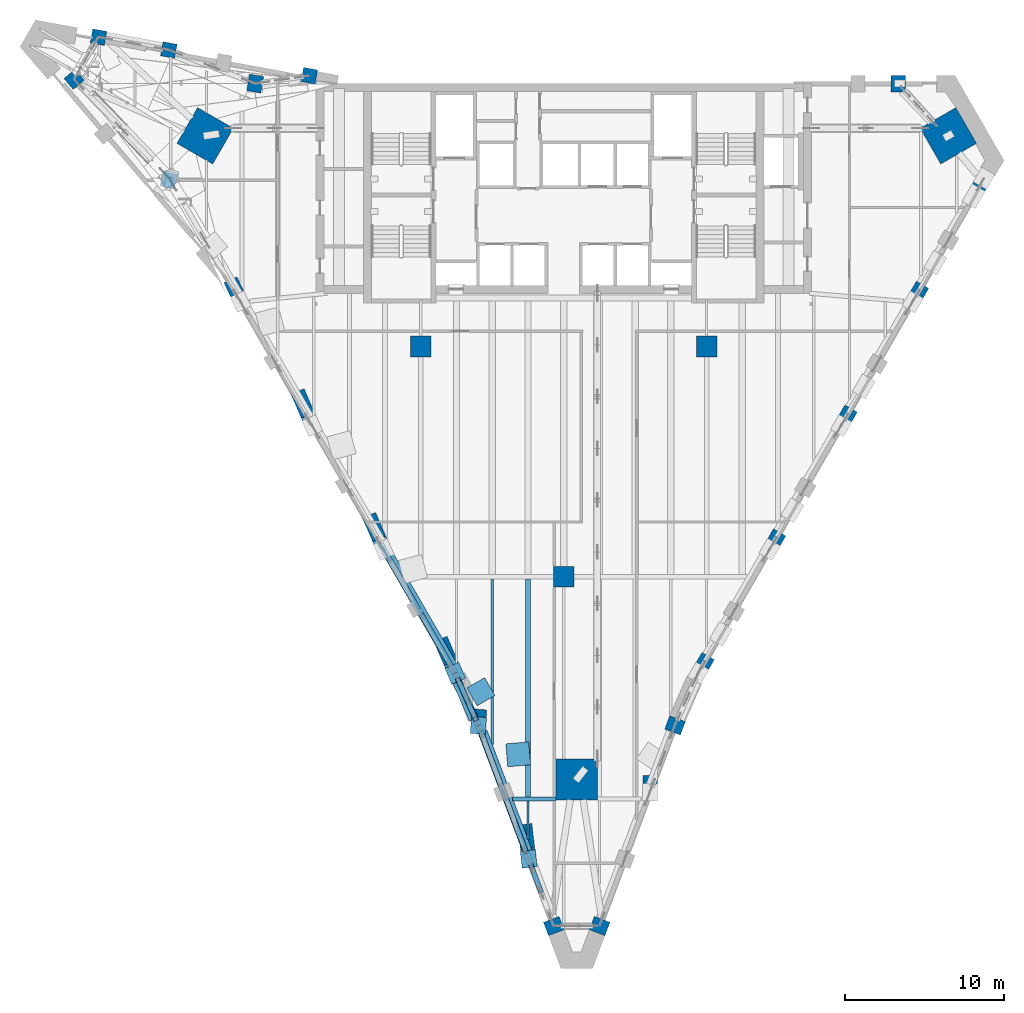
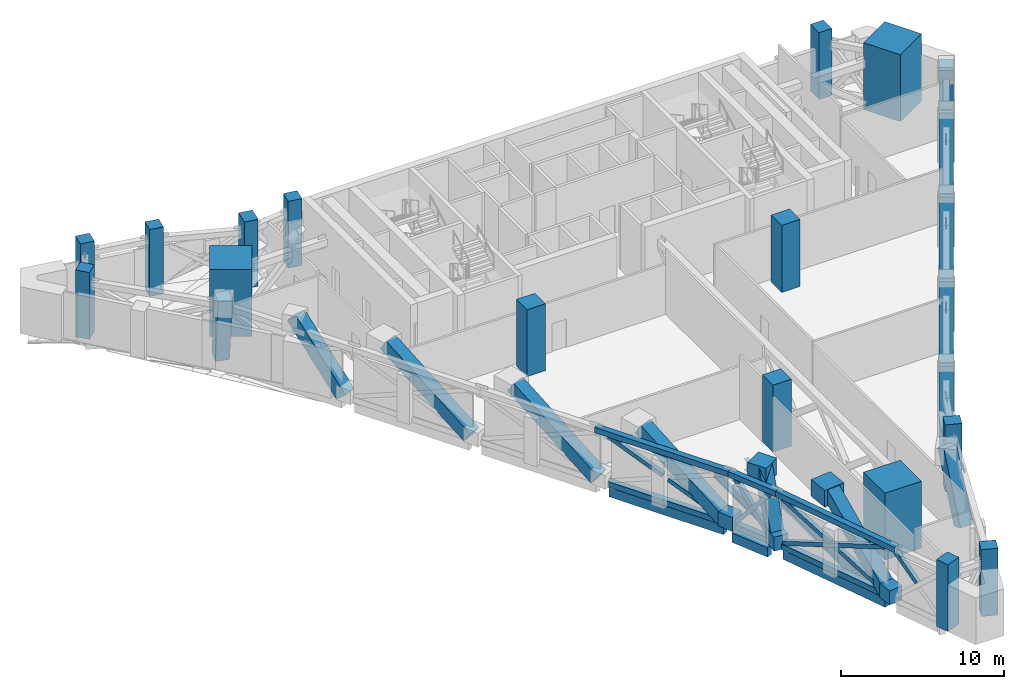
# One storey, part 1 of 22: 28 columns, 15 members, 12 beams.
"""IFC4 building model written with IfcOpenShell, lengths in metres."""

from ifc_helpers import new_model, si_unit, direction, frame, origin, origin_2d, place, context, subcontext, project, spatial, rectangle, hollow_rectangle, i_section, extrude, clip, halfspace, material, material_profile, profile_set, type_object, element, save


model = new_model("IFC4")

# Units and contexts
model_context = context("Model", 3, precision=1e-05, world=origin(), true_north=direction((0.0, 1.0)))
body_context = subcontext(model_context, "Body", "Model", "MODEL_VIEW")
ifc_project = project(units=[si_unit("LENGTHUNIT", "METRE"), si_unit("AREAUNIT", "SQUARE_METRE"), si_unit("VOLUMEUNIT", "CUBIC_METRE"), si_unit("PLANEANGLEUNIT", "RADIAN"), si_unit("MASSUNIT", "GRAM", prefix="KILO")], contexts=[model_context])

# Site, building, storey
site_placement = place(None, origin())
site = spatial("IfcSite", under=ifc_project, at=site_placement, CompositionType="ELEMENT")
building_placement = place(site_placement, origin())
building = spatial("IfcBuilding", under=site, at=building_placement, Name="Calabash Gate Tower", CompositionType="ELEMENT")
storey_placement = place(building_placement, frame((0.0, 0.0, 191.39990234375)))
storey = spatial("IfcBuildingStorey", under=building, at=storey_placement, Name="L45", CompositionType="ELEMENT", Elevation=191.39990234375)

# Columns
ifc_material_1 = material(Name="Concrete C70/85", Category="concrete")
ifc_material_profile_1 = material_profile(ifc_material_1, rectangle(XDim=1.300048828125, YDim=1.300048828125, at=origin_2d()))
ifc_profile_set_1 = profile_set([ifc_material_profile_1], Name="Concrete C70/85")
column_type_1 = type_object("IfcColumnType", Name="Interior column RC 1300x1300 Concrete C70/85", PredefinedType="COLUMN", material=ifc_profile_set_1)
for number, where, z_axis, x_axis, name in (
    (1, (-9.0, 2.5, 0.0), (0.0, 0.0, 1.0), (1.0, 0.0, 0.0), "Interior column L45 I0"),
    (2, (9.0, 2.5, 0.0), (0.0, 0.0, 1.0), (1.0, 0.0, 0.0), "Interior column L45 I1"),
    (3, (0.0, -12.0, 0.0), (0.0, 0.0, 1.0), (1.0, 0.0, 0.0), "Interior column L45 I2"),
):
    element("IfcColumn", number, at=place(storey_placement, frame(where, z_axis=z_axis, x_axis=x_axis)), inside=storey, type_object=column_type_1, Name=name, PredefinedType="COLUMN", context=body_context, shape_type="SweptSolid", body=[
        extrude(rectangle(XDim=1.300048828125, YDim=1.300048828125, at=origin_2d()), origin(), (0.0, 0.0, 1.0), 5.0),
    ])
ifc_material_2 = material(Name="Concrete C70/85", Category="concrete")
ifc_material_profile_2 = material_profile(ifc_material_2, rectangle(XDim=2.60009765625, YDim=2.60009765625, at=origin_2d()))
ifc_profile_set_2 = profile_set([ifc_material_profile_2], Name="Concrete C70/85")
column_type_2 = type_object("IfcColumnType", Name="Mega column RC 2600x2600 Concrete C70/85", PredefinedType="COLUMN", material=ifc_profile_set_2)
for number, where, z_axis, x_axis, name in (
    (4, (-22.577880859375, 15.76806640625, 0.0), (0.0, 0.0, 1.0), (0.866025421238, -0.49999996977, 0.0), "Mega column L45 NW"),
    (5, (24.221923828125, 15.76806640625, 0.0), (0.0, 0.0, 1.0), (-0.866025421238, -0.49999996977, 0.0), "Mega column L45 NE"),
    (6, (0.822021484375, -24.762939453125, 0.0), (0.0, 0.0, 1.0), (0.0, 1.0, 0.0), "Mega column L45 S"),
):
    element("IfcColumn", number, at=place(storey_placement, frame(where, z_axis=z_axis, x_axis=x_axis)), inside=storey, type_object=column_type_2, Name=name, PredefinedType="COLUMN", context=body_context, shape_type="SweptSolid", body=[
        extrude(rectangle(XDim=2.60009765625, YDim=2.60009765625, at=origin_2d()), origin(), (0.0, 0.0, 1.0), 5.0),
    ])
ifc_material_3 = material(Name="Concrete C60/75", Category="concrete")
ifc_material_profile_3 = material_profile(ifc_material_3, rectangle(XDim=0.89990234375, YDim=1.050048828125, at=origin_2d()))
ifc_profile_set_3 = profile_set([ifc_material_profile_3], Name="Concrete C60/75")
column_type_3 = type_object("IfcColumnType", Name="Perimeter column RC 900x1050 Concrete C60/75", PredefinedType="COLUMN", material=ifc_profile_set_3)
for number, where, z_axis, x_axis, name in (
    (7, (-0.6201171875, -33.99609375, 0.0), (0.0, 0.0, 1.0), (0.351822500991, -0.936066732555, 0.0), "Perimeter column L45 P27"),
    (8, (2.263916015625, -33.99609375, 0.0), (0.0, 0.0, 1.0), (0.351822451979, 0.936066750977, 0.0), "Perimeter column L45 P28"),
    (9, (7.012939453125, -21.35888671875, 0.0), (0.0, 0.0, 1.0), (0.351822451979, 0.936066750977, 0.0), "Perimeter column L45 P29"),
    (10, (21.072021484375, 19.052978515625, 0.0), (0.0, 0.0, 1.0), (-1.0, 0.0, 0.0), "Perimeter column L45 P24"),
    (11, (-19.427978515625, 19.052978515625, 0.0), (0.0, 0.0, 1.0), (-0.983669930074, 0.179981856499, 0.0), "Perimeter column L45 P17"),
):
    element("IfcColumn", number, at=place(storey_placement, frame(where, z_axis=z_axis, x_axis=x_axis)), inside=storey, type_object=column_type_3, Name=name, PredefinedType="COLUMN", context=body_context, shape_type="SweptSolid", body=[
        extrude(rectangle(XDim=0.89990234375, YDim=1.050048828125, at=origin_2d()), origin(), (0.0, 0.0, 1.0), 5.0),
    ])
ifc_material_4 = material(Name="Concrete C60/75", Category="concrete")
ifc_material_profile_4 = material_profile(ifc_material_4, rectangle(XDim=0.89990234375, YDim=0.89990234375, at=origin_2d()))
ifc_profile_set_4 = profile_set([ifc_material_profile_4], Name="Concrete C60/75")
column_type_4 = type_object("IfcColumnType", Name="Perimeter column RC 900x900 Concrete C60/75", PredefinedType="COLUMN", material=ifc_profile_set_4)
for number, where, z_axis, x_axis, name in (
    (12, (-16.012939453125, 19.551025390625, 0.0), (0.0, 0.0, 1.0), (-0.983669930074, 0.179981856499, 0.0), "Perimeter column L45 P31"),
    (13, (-24.865966796875, 21.1708984375, 0.0), (0.0, 0.0, 1.0), (-0.983669930074, 0.179981856499, 0.0), "Perimeter column L45 P32"),
    (14, (-29.29296875, 21.97998046875, 0.0), (0.0, 0.0, 1.0), (-0.983669930074, 0.179981856499, 0.0), "Perimeter column L45 P33"),
    (15, (-30.827880859375, 19.322021484375, 0.0), (0.0, 0.0, 1.0), (0.647703824985, -0.761892220133, 0.0), "Perimeter column L45 P34"),
):
    element("IfcColumn", number, at=place(storey_placement, frame(where, z_axis=z_axis, x_axis=x_axis)), inside=storey, type_object=column_type_4, Name=name, PredefinedType="COLUMN", context=body_context, shape_type="SweptSolid", body=[
        extrude(rectangle(XDim=0.89990234375, YDim=0.89990234375, at=origin_2d()), origin(), (0.0, 0.0, 1.0), 5.0),
    ])
ifc_material_5 = material(Name="Concrete C60/75", Category="concrete")
ifc_material_profile_5 = material_profile(ifc_material_5, rectangle(XDim=0.89990234375, YDim=0.89990234375, at=origin_2d()))
ifc_profile_set_5 = profile_set([ifc_material_profile_5], Name="Concrete C60/75")
column_type_5 = type_object("IfcColumnType", Name="Raking transfer column RC 900x900 Concrete C60/75", PredefinedType="COLUMN", material=ifc_profile_set_5)
column_1_placement = place(storey_placement, frame((-15.717041015625, -2.7509765625, 0.0), z_axis=(-0.33011858032, 0.765685342742, 0.552039562746), x_axis=(-0.918288424584, -0.395912072656, 0.0)))
element("IfcColumn", 16, at=column_1_placement, inside=storey, type_object=column_type_5, Name="Raking transfer column L45 TP00", PredefinedType="COLUMN", context=body_context, shape_type="Clipping", body=[
    clip(clip(extrude(rectangle(XDim=0.89990234375, YDim=0.89990234375, at=origin_2d()), origin(), (0.0, 0.0, 1.0), 9.057373046875), halfspace(frame((0.0, 0.0, 0.68701171875), z_axis=(0.0, 0.0, 1.0), x_axis=(1.0, 0.0, 0.0)), True)), halfspace(frame((0.0, 0.0, 8.370361328125), z_axis=(0.0, 0.0, 1.0), x_axis=(1.0, 0.0, 0.0)), False)),
])
column_2_placement = place(storey_placement, frame((-11.217041015625, -10.54296875, 0.0), z_axis=(-0.330179907821, 0.765584946712, 0.55214211743), x_axis=(-0.918242801662, -0.396017874844, 0.0)))
element("IfcColumn", 17, at=column_2_placement, inside=storey, type_object=column_type_5, Name="Raking transfer column L45 TP01", PredefinedType="COLUMN", context=body_context, shape_type="Clipping", body=[
    clip(clip(extrude(rectangle(XDim=0.89990234375, YDim=0.89990234375, at=origin_2d()), origin(), (0.0, 0.0, 1.0), 9.0556640625), halfspace(frame((0.0, 0.0, 0.68701171875), z_axis=(0.0, 0.0, 1.0), x_axis=(1.0, 0.0, 0.0)), True)), halfspace(frame((0.0, 0.0, 8.36865234375), z_axis=(0.0, 0.0, 1.0), x_axis=(1.0, 0.0, 0.0)), False)),
])
column_3_placement = place(storey_placement, frame((-6.717041015625, -18.339111328125, 0.0), z_axis=(-0.33011858032, 0.765685342742, 0.552039562746), x_axis=(-0.918288424584, -0.395912072656, 0.0)))
element("IfcColumn", 18, at=column_3_placement, inside=storey, type_object=column_type_5, Name="Raking transfer column L45 TP02", PredefinedType="COLUMN", context=body_context, shape_type="Clipping", body=[
    clip(clip(extrude(rectangle(XDim=0.89990234375, YDim=0.89990234375, at=origin_2d()), origin(), (0.0, 0.0, 1.0), 9.057373046875), halfspace(frame((0.0, 0.0, 0.68701171875), z_axis=(0.0, 0.0, 1.0), x_axis=(1.0, 0.0, 0.0)), True)), halfspace(frame((0.0, 0.0, 8.370361328125), z_axis=(0.0, 0.0, 1.0), x_axis=(1.0, 0.0, 0.0)), False)),
])
column_4_placement = place(storey_placement, frame((-5.3701171875, -21.35888671875, 0.0), z_axis=(0.029929407846, 0.396385435949, 0.917596216597), x_axis=(-0.997161566441, 0.075291502926, 0.0)))
element("IfcColumn", 19, at=column_4_placement, inside=storey, type_object=column_type_5, Name="Raking transfer column L45 TP03", PredefinedType="COLUMN", context=body_context, shape_type="Clipping", body=[
    clip(clip(extrude(rectangle(XDim=0.89990234375, YDim=0.89990234375, at=origin_2d()), origin(), (0.0, 0.0, 1.0), 5.448974609375), halfspace(frame((0.0, 0.0, 0.198974609375), z_axis=(0.0, 0.0, 1.0), x_axis=(1.0, 0.0, 0.0)), True)), halfspace(frame((0.0, 0.0, 5.25), z_axis=(0.0, 0.0, 1.0), x_axis=(1.0, 0.0, 0.0)), False)),
])
column_5_placement = place(storey_placement, frame((5.429931640625, -25.571044921875, 0.0), z_axis=(0.010188943568, 0.420448971331, 0.90725897512), x_axis=(-0.999706498383, 0.024226371787, 0.0)))
element("IfcColumn", 20, at=column_5_placement, inside=storey, type_object=column_type_5, Name="Raking transfer column L45 TP08", PredefinedType="COLUMN", context=body_context, shape_type="Clipping", body=[
    clip(clip(extrude(rectangle(XDim=0.89990234375, YDim=0.89990234375, at=origin_2d()), origin(), (0.0, 0.0, 1.0), 5.510986328125), halfspace(frame((0.0, 0.0, 0.212890625), z_axis=(0.0, 0.0, 1.0), x_axis=(1.0, 0.0, 0.0)), True)), halfspace(frame((0.0, 0.0, 5.298095703125), z_axis=(0.0, 0.0, 1.0), x_axis=(1.0, 0.0, 0.0)), False)),
])
column_6_placement = place(storey_placement, frame((8.471923828125, -18.08203125, 0.0), z_axis=(0.259037390288, 0.448574906754, 0.855383062413), x_axis=(-0.865981474287, 0.500076080403, 0.0)))
element("IfcColumn", 21, at=column_6_placement, inside=storey, type_object=column_type_5, Name="Raking transfer column L45 TP09", PredefinedType="COLUMN", context=body_context, shape_type="Clipping", body=[
    clip(clip(extrude(rectangle(XDim=0.89990234375, YDim=0.89990234375, at=origin_2d()), origin(), (0.0, 0.0, 1.0), 5.84521484375), halfspace(frame((0.0, 0.0, 0.277099609375), z_axis=(0.0, 0.0, 1.0), x_axis=(1.0, 0.0, 0.0)), True)), halfspace(frame((0.0, 0.0, 5.568359375), z_axis=(0.0, 0.0, 1.0), x_axis=(1.0, 0.0, 0.0)), False)),
])
column_7_placement = place(storey_placement, frame((12.971923828125, -10.2880859375, 0.0), z_axis=(0.258979139015, 0.448975121363, 0.855190707358), x_axis=(-0.866223138365, 0.499657357156, 0.0)))
element("IfcColumn", 22, at=column_7_placement, inside=storey, type_object=column_type_5, Name="Raking transfer column L45 TP10", PredefinedType="COLUMN", context=body_context, shape_type="Clipping", body=[
    clip(clip(extrude(rectangle(XDim=0.89990234375, YDim=0.89990234375, at=origin_2d()), origin(), (0.0, 0.0, 1.0), 5.8466796875), halfspace(frame((0.0, 0.0, 0.277099609375), z_axis=(0.0, 0.0, 1.0), x_axis=(1.0, 0.0, 0.0)), True)), halfspace(frame((0.0, 0.0, 5.569580078125), z_axis=(0.0, 0.0, 1.0), x_axis=(1.0, 0.0, 0.0)), False)),
])
column_8_placement = place(storey_placement, frame((17.471923828125, -2.493896484375, 0.0), z_axis=(0.259022829884, 0.448674985721, 0.855334981622), x_axis=(-0.866041947256, 0.499971344772, 0.0)))
element("IfcColumn", 23, at=column_8_placement, inside=storey, type_object=column_type_5, Name="Raking transfer column L45 TP11", PredefinedType="COLUMN", context=body_context, shape_type="Clipping", body=[
    clip(clip(extrude(rectangle(XDim=0.89990234375, YDim=0.89990234375, at=origin_2d()), origin(), (0.0, 0.0, 1.0), 5.845703125), halfspace(frame((0.0, 0.0, 0.277099609375), z_axis=(0.0, 0.0, 1.0), x_axis=(1.0, 0.0, 0.0)), True)), halfspace(frame((0.0, 0.0, 5.568603515625), z_axis=(0.0, 0.0, 1.0), x_axis=(1.0, 0.0, 0.0)), False)),
])
column_9_placement = place(storey_placement, frame((21.971923828125, 5.300048828125, 0.0), z_axis=(0.259017976058, 0.448708341627, 0.85531895351), x_axis=(-0.86606209647, 0.499936441019, 0.0)))
element("IfcColumn", 24, at=column_9_placement, inside=storey, type_object=column_type_5, Name="Raking transfer column L45 TP12", PredefinedType="COLUMN", context=body_context, shape_type="Clipping", body=[
    clip(clip(extrude(rectangle(XDim=0.89990234375, YDim=0.89990234375, at=origin_2d()), origin(), (0.0, 0.0, 1.0), 5.845703125), halfspace(frame((0.0, 0.0, 0.277099609375), z_axis=(0.0, 0.0, 1.0), x_axis=(1.0, 0.0, 0.0)), True)), halfspace(frame((0.0, 0.0, 5.56884765625), z_axis=(0.0, 0.0, 1.0), x_axis=(1.0, 0.0, 0.0)), False)),
])
column_10_placement = place(storey_placement, frame((26.471923828125, 13.096923828125, 0.0), z_axis=(-0.141163992938, -0.244952781375, 0.959203243319), x_axis=(0.866422676659, -0.499311271023, 0.0)))
element("IfcColumn", 25, at=column_10_placement, inside=storey, type_object=column_type_5, Name="Raking transfer column L45 TP13", PredefinedType="COLUMN", context=body_context, shape_type="Clipping", body=[
    clip(clip(extrude(rectangle(XDim=0.89990234375, YDim=0.89990234375, at=origin_2d()), origin(), (0.0, 0.0, 1.0), 5.212646484375), halfspace(frame((0.0, 0.0, 0.136962890625), z_axis=(0.0, 0.0, 1.0), x_axis=(1.0, 0.0, 0.0)), True)), halfspace(frame((0.0, 0.0, 5.07568359375), z_axis=(0.0, 0.0, 1.0), x_axis=(1.0, 0.0, 0.0)), False)),
])
column_11_placement = place(storey_placement, frame((-24.827880859375, 13.096923828125, 0.0), z_axis=(-0.033747087342, -0.124917482557, 0.991593039834), x_axis=(0.965391406589, -0.260805352865, 0.0)))
element("IfcColumn", 26, at=column_11_placement, inside=storey, type_object=column_type_5, Name="Raking transfer column L45 TP20", PredefinedType="COLUMN", context=body_context, shape_type="Clipping", body=[
    clip(clip(extrude(rectangle(XDim=0.89990234375, YDim=0.89990234375, at=origin_2d()), origin(), (0.0, 0.0, 1.0), 5.04248046875), halfspace(frame((0.0, 0.0, 0.06298828125), z_axis=(0.0, 0.0, 1.0), x_axis=(1.0, 0.0, 0.0)), True)), halfspace(frame((0.0, 0.0, 4.9794921875), z_axis=(0.0, 0.0, 1.0), x_axis=(1.0, 0.0, 0.0)), False)),
])
column_12_placement = place(storey_placement, frame((-2.176025390625, -30.02197265625, 0.0), z_axis=(-0.091048961561, 0.807429818856, 0.582895508836), x_axis=(-0.993702145766, -0.112053761652, 0.0)))
element("IfcColumn", 27, at=column_12_placement, inside=storey, type_object=column_type_5, Name="Raking transfer column L45 TP25", PredefinedType="COLUMN", context=body_context, shape_type="Clipping", body=[
    clip(clip(extrude(rectangle(XDim=0.89990234375, YDim=0.89990234375, at=origin_2d()), origin(), (0.0, 0.0, 1.0), 8.577880859375), halfspace(frame((0.0, 0.0, 0.634033203125), z_axis=(0.0, 0.0, 1.0), x_axis=(1.0, 0.0, 0.0)), True)), halfspace(frame((0.0, 0.0, 7.94384765625), z_axis=(0.0, 0.0, 1.0), x_axis=(1.0, 0.0, 0.0)), False)),
])
column_13_placement = place(storey_placement, frame((-20.31103515625, 5.263916015625, 0.0), z_axis=(-0.272341668224, 0.579597973342, 0.768047007055), x_axis=(-0.905065403583, -0.425272401218, 0.0)))
element("IfcColumn", 28, at=column_13_placement, inside=storey, type_object=column_type_5, Name="Raking transfer column L45 TP35", PredefinedType="COLUMN", context=body_context, shape_type="Clipping", body=[
    clip(clip(extrude(rectangle(XDim=0.89990234375, YDim=0.89990234375, at=origin_2d()), origin(), (0.0, 0.0, 1.0), 6.510009765625), halfspace(frame((0.0, 0.0, 0.3798828125), z_axis=(0.0, 0.0, 1.0), x_axis=(1.0, 0.0, 0.0)), True)), halfspace(frame((0.0, 0.0, 6.130126953125), z_axis=(0.0, 0.0, 1.0), x_axis=(1.0, 0.0, 0.0)), False)),
])

# Members
ifc_material_6 = material(Name="Steel ASTM A500 Gr C", Category="steel")
ifc_material_profile_6 = material_profile(ifc_material_6, hollow_rectangle(XDim=0.406494140625, YDim=0.406494140625, WallThickness=0.015869140625, at=origin_2d()))
ifc_profile_set_6 = profile_set([ifc_material_profile_6], Name="Steel ASTM A500 Gr C")
member_type_1 = type_object("IfcMemberType", Name="Belt truss chord HSS16X16X.625 ASTM A500 Gr C", PredefinedType="CHORD", material=ifc_profile_set_6)
member_1_placement = place(storey_placement, frame((-11.10302734375, -10.677734375, 0.203369140625), z_axis=(0.499999880539, -0.866025472755, 0.0), x_axis=(0.866025472755, 0.499999880539, 0.0)))
element("IfcMember", 29, at=member_1_placement, inside=storey, type_object=member_type_1, Name="Belt chord L45 1", PredefinedType="CHORD", context=body_context, shape_type="SweptSolid", body=[
    extrude(hollow_rectangle(XDim=0.406494140625, YDim=0.406494140625, WallThickness=0.015869140625, at=origin_2d()), origin(), (0.0, 0.0, 1.0), 8.10009765625),
])
member_2_placement = place(storey_placement, frame((-11.552978515625, -9.89404296875, 3.927001953125), z_axis=(0.499986057666, -0.866033453245, 0.0), x_axis=(0.866033453245, 0.499986057666, 0.0)))
element("IfcMember", 30, at=member_2_placement, inside=storey, type_object=member_type_1, Name="Belt chord L45 2", PredefinedType="CHORD", context=body_context, shape_type="SweptSolid", body=[
    extrude(hollow_rectangle(XDim=0.406494140625, YDim=0.406494140625, WallThickness=0.015869140625, at=origin_2d()), origin(), (0.0, 0.0, 1.0), 9.460205078125),
])
member_3_placement = place(storey_placement, frame((-6.64404296875, -18.49560546875, 0.203369140625), z_axis=(0.40658580968, -0.913612598078, 0.0), x_axis=(0.913612598078, 0.40658580968, 0.0)))
element("IfcMember", 31, at=member_3_placement, inside=storey, type_object=member_type_1, Name="Belt chord L45 6", PredefinedType="CHORD", context=body_context, shape_type="SweptSolid", body=[
    extrude(hollow_rectangle(XDim=0.406494140625, YDim=0.406494140625, WallThickness=0.015869140625, at=origin_2d()), origin(), (0.0, 0.0, 1.0), 2.68359375),
])
member_4_placement = place(storey_placement, frame((-6.837890625, -18.06103515625, 3.927001953125), z_axis=(0.406595806482, -0.913608149127, 0.0), x_axis=(0.913608149127, 0.406595806482, 0.0)))
element("IfcMember", 32, at=member_4_placement, inside=storey, type_object=member_type_1, Name="Belt chord L45 7", PredefinedType="CHORD", context=body_context, shape_type="SweptSolid", body=[
    extrude(hollow_rectangle(XDim=0.406494140625, YDim=0.406494140625, WallThickness=0.015869140625, at=origin_2d()), origin(), (0.0, 0.0, 1.0), 3.615234375),
])
member_5_placement = place(storey_placement, frame((-5.211181640625, -21.7802734375, 0.203369140625), z_axis=(0.351800479899, -0.93607500893, 0.0), x_axis=(0.93607500893, 0.351800479899, 0.0)))
element("IfcMember", 33, at=member_5_placement, inside=storey, type_object=member_type_1, Name="Belt chord L45 11", PredefinedType="CHORD", context=body_context, shape_type="SweptSolid", body=[
    extrude(hollow_rectangle(XDim=0.406494140625, YDim=0.406494140625, WallThickness=0.015869140625, at=origin_2d()), origin(), (0.0, 0.0, 1.0), 8.10009765625),
])
member_6_placement = place(storey_placement, frame((-5.367919921875, -21.363037109375, 3.927001953125), z_axis=(0.35180559547, -0.936073086354, 0.0), x_axis=(0.936073086354, 0.35180559547, 0.0)))
element("IfcMember", 34, at=member_6_placement, inside=storey, type_object=member_type_1, Name="Belt chord L45 12", PredefinedType="CHORD", context=body_context, shape_type="SweptSolid", body=[
    extrude(hollow_rectangle(XDim=0.406494140625, YDim=0.406494140625, WallThickness=0.015869140625, at=origin_2d()), origin(), (0.0, 0.0, 1.0), 9.451171875),
])
ifc_material_7 = material(Name="Steel ASTM A500 Gr C", Category="steel")
ifc_material_profile_7 = material_profile(ifc_material_7, hollow_rectangle(XDim=0.3046875, YDim=0.3046875, WallThickness=0.0126953125, at=origin_2d()))
ifc_profile_set_7 = profile_set([ifc_material_profile_7], Name="Steel ASTM A500 Gr C")
member_type_2 = type_object("IfcMemberType", Name="Belt truss diagonal HSS12X12X.500 ASTM A500 Gr C", PredefinedType="BRACE", material=ifc_profile_set_7)
for number, where, z_axis, x_axis, name in (
    (35, (-11.10302734375, -10.677734375, 3.7236328125), (0.462725403696, -0.801419502304, -0.378961715878), (0.866013407032, 0.50002077841, 0.0), "Belt diagonal (split) L45 4 half 1 of 2"),
    (36, (-8.9775390625, -14.359375, 1.982666015625), (0.462725403696, -0.801419502304, -0.378961715878), (0.866013407032, 0.50002077841, 0.0), "Belt diagonal (split) L45 5 half 2 of 2"),
):
    element("IfcMember", number, at=place(storey_placement, frame(where, z_axis=z_axis, x_axis=x_axis)), inside=storey, type_object=member_type_2, Name=name, PredefinedType="BRACE", context=body_context, shape_type="SweptSolid", body=[
        extrude(hollow_rectangle(XDim=0.3046875, YDim=0.3046875, WallThickness=0.0126953125, at=origin_2d()), origin(), (0.0, 0.0, 1.0), 4.1591796875),
    ])
member_7_placement = place(storey_placement, frame((-6.64404296875, -18.49560546875, 0.406494140625), z_axis=(0.255718064838, -0.574607475297, 0.777453870431), x_axis=(0.913612598078, 0.40658580968, 0.0)))
element("IfcMember", 37, at=member_7_placement, inside=storey, type_object=member_type_2, Name="Belt diagonal L45 8", PredefinedType="BRACE", context=body_context, shape_type="SweptSolid", body=[
    extrude(hollow_rectangle(XDim=0.3046875, YDim=0.3046875, WallThickness=0.0126953125, at=origin_2d()), origin(), (0.0, 0.0, 1.0), 4.2666015625),
])
member_8_placement = place(storey_placement, frame((-6.64404296875, -18.49560546875, 3.7236328125), z_axis=(0.255812004266, -0.574589318463, -0.777436385553), x_axis=(0.913552335617, 0.406721194542, 0.0)))
element("IfcMember", 38, at=member_8_placement, inside=storey, type_object=member_type_2, Name="Belt diagonal (split) L45 9 half 1 of 2", PredefinedType="BRACE", context=body_context, shape_type="SweptSolid", body=[
    extrude(hollow_rectangle(XDim=0.3046875, YDim=0.3046875, WallThickness=0.0126953125, at=origin_2d()), origin(), (0.0, 0.0, 1.0), 1.9775390625),
])
member_9_placement = place(storey_placement, frame((-6.05859375, -19.81103515625, 1.94384765625), z_axis=(0.255696616695, -0.574607462144, -0.777460934491), x_axis=(0.913625261966, 0.406557352285, 0.0)))
element("IfcMember", 39, at=member_9_placement, inside=storey, type_object=member_type_2, Name="Belt diagonal (split) L45 10 half 2 of 2", PredefinedType="BRACE", context=body_context, shape_type="SweptSolid", body=[
    extrude(hollow_rectangle(XDim=0.3046875, YDim=0.3046875, WallThickness=0.0126953125, at=origin_2d()), origin(), (0.0, 0.0, 1.0), 1.977294921875),
])
member_10_placement = place(storey_placement, frame((-5.211181640625, -21.7802734375, 0.406494140625), z_axis=(0.325558928789, -0.866251169586, 0.378972683813), x_axis=(0.93607500893, 0.351800479899, 0.0)))
element("IfcMember", 40, at=member_10_placement, inside=storey, type_object=member_type_2, Name="Belt diagonal L45 13", PredefinedType="BRACE", context=body_context, shape_type="SweptSolid", body=[
    extrude(hollow_rectangle(XDim=0.3046875, YDim=0.3046875, WallThickness=0.0126953125, at=origin_2d()), origin(), (0.0, 0.0, 1.0), 8.7529296875),
])
member_11_placement = place(storey_placement, frame((-5.211181640625, -21.7802734375, 3.7236328125), z_axis=(0.325556107946, -0.866251620078, -0.378974077334), x_axis=(0.936076072988, 0.351797648627, 0.0)))
element("IfcMember", 41, at=member_11_placement, inside=storey, type_object=member_type_2, Name="Belt diagonal (split) L45 14 half 1 of 2", PredefinedType="BRACE", context=body_context, shape_type="SweptSolid", body=[
    extrude(hollow_rectangle(XDim=0.3046875, YDim=0.3046875, WallThickness=0.0126953125, at=origin_2d()), origin(), (0.0, 0.0, 1.0), 4.158935546875),
])
member_12_placement = place(storey_placement, frame((-3.715576171875, -25.759521484375, 1.982666015625), z_axis=(0.325539554154, -0.866266271224, -0.37895480736), x_axis=(0.936083922818, 0.351776760804, 0.0)))
element("IfcMember", 42, at=member_12_placement, inside=storey, type_object=member_type_2, Name="Belt diagonal (split) L45 15 half 2 of 2", PredefinedType="BRACE", context=body_context, shape_type="SweptSolid", body=[
    extrude(hollow_rectangle(XDim=0.3046875, YDim=0.3046875, WallThickness=0.0126953125, at=origin_2d()), origin(), (0.0, 0.0, 1.0), 4.1591796875),
])
member_13_placement = place(storey_placement, frame((-2.044921875, -30.204833984375, 3.7236328125), z_axis=(0.258734200689, -0.688432982179, -0.677581465539), x_axis=(0.936073303265, 0.351805018319, 0.0)))
element("IfcMember", 43, at=member_13_placement, inside=storey, type_object=member_type_2, Name="Belt diagonal (split) L45 19 half 1 of 2", PredefinedType="BRACE", context=body_context, shape_type="SweptSolid", body=[
    extrude(hollow_rectangle(XDim=0.3046875, YDim=0.3046875, WallThickness=0.0126953125, at=origin_2d()), origin(), (0.0, 0.0, 1.0), 2.294921875),
])

# Beams
ifc_material_8 = material(Name="Concrete C50/60", Category="concrete")
ifc_material_profile_8 = material_profile(ifc_material_8, rectangle(XDim=0.39990234375, YDim=0.699951171875, at=origin_2d()))
ifc_profile_set_8 = profile_set([ifc_material_profile_8], Name="Concrete C50/60")
beam_type_1 = type_object("IfcBeamType", Name="Edge beam RC 400x700 Concrete C50/60", PredefinedType="BEAM", material=ifc_profile_set_8)
beam_1_placement = place(storey_placement, frame((-10.929931640625, -10.577880859375, -0.52001953125), z_axis=(0.499986829629, -0.866033007568, 0.0), x_axis=(0.866033007568, 0.499986829629, 0.0)))
element("IfcBeam", 44, at=beam_1_placement, inside=storey, type_object=beam_type_1, Name="Edge beam L45 2", PredefinedType="BEAM", context=body_context, shape_type="SweptSolid", body=[
    extrude(rectangle(XDim=0.39990234375, YDim=0.699951171875, at=origin_2d()), origin(), (0.0, 0.0, 1.0), 8.100341796875),
])
beam_2_placement = place(storey_placement, frame((-6.8310546875, -18.56689453125, -0.52001953125), z_axis=(0.406691090134, -0.913565737758, 0.0), x_axis=(0.913565737758, 0.406691090134, 0.0)))
element("IfcBeam", 45, at=beam_2_placement, inside=storey, type_object=beam_type_1, Name="Edge beam L45 3", PredefinedType="BEAM", context=body_context, shape_type="SweptSolid", body=[
    extrude(rectangle(XDim=0.39990234375, YDim=0.699951171875, at=origin_2d()), origin(), (0.0, 0.0, 1.0), 2.705078125),
])
beam_3_placement = place(storey_placement, frame((-5.02392578125, -21.7099609375, -0.52001953125), z_axis=(0.351836816153, -0.936061352049, 0.0), x_axis=(0.936061352049, 0.351836816153, 0.0)))
element("IfcBeam", 46, at=beam_3_placement, inside=storey, type_object=beam_type_1, Name="Edge beam L45 4", PredefinedType="BEAM", context=body_context, shape_type="SweptSolid", body=[
    extrude(rectangle(XDim=0.39990234375, YDim=0.699951171875, at=origin_2d()), origin(), (0.0, 0.0, 1.0), 8.099853515625),
])
ifc_material_9 = material(Name="Steel ASTM A992 Gr50", Category="steel")
ifc_material_profile_9 = material_profile(ifc_material_9, i_section(OverallWidth=0.1396484375, OverallDepth=0.398681640625, WebThickness=0.00634765625, FlangeThickness=0.0087890625, FilletRadius=0.01025390625, at=origin_2d()))
ifc_profile_set_9 = profile_set([ifc_material_profile_9], Name="Steel ASTM A992 Gr50")
beam_type_2 = type_object("IfcBeamType", Name="Floor beam W16x26 ASTM A992 Gr50", PredefinedType="BEAM", material=ifc_profile_set_9)
beam_4_placement = place(storey_placement, frame((-2.25, -28.553955078125, -0.368896484375), z_axis=(0.0, 1.0, 0.0), x_axis=(-1.0, 0.0, 0.0)))
element("IfcBeam", 47, at=beam_4_placement, inside=storey, type_object=beam_type_2, Name="Floor beam L45 19", PredefinedType="BEAM", context=body_context, shape_type="SweptSolid", body=[
    extrude(i_section(OverallWidth=0.1396484375, OverallDepth=0.398681640625, WebThickness=0.00634765625, FlangeThickness=0.0087890625, FilletRadius=0.01025390625, at=origin_2d()), origin(), (0.0, 0.0, 1.0), 2.4208984375),
])
ifc_material_10 = material(Name="Steel ASTM A992 Gr50", Category="steel")
ifc_material_profile_10 = material_profile(ifc_material_10, i_section(OverallWidth=0.1787109375, OverallDepth=0.60205078125, WebThickness=0.010986328125, FlangeThickness=0.014892578125, FilletRadius=0.0126953125, at=origin_2d()))
ifc_profile_set_10 = profile_set([ifc_material_profile_10], Name="Steel ASTM A992 Gr50")
beam_type_3 = type_object("IfcBeamType", Name="Floor beam W24x62 ASTM A992 Gr50", PredefinedType="BEAM", material=ifc_profile_set_10)
beam_5_placement = place(storey_placement, frame((-4.5, -22.568115234375, -0.470947265625), z_axis=(0.0, 1.0, 0.0), x_axis=(-1.0, 0.0, 0.0)))
element("IfcBeam", 48, at=beam_5_placement, inside=storey, type_object=beam_type_3, Name="Floor beam L45 17", PredefinedType="BEAM", context=body_context, shape_type="SweptSolid", body=[
    extrude(i_section(OverallWidth=0.1787109375, OverallDepth=0.60205078125, WebThickness=0.010986328125, FlangeThickness=0.014892578125, FilletRadius=0.0126953125, at=origin_2d()), origin(), (0.0, 0.0, 1.0), 10.43505859375),
])
ifc_material_11 = material(Name="Steel ASTM A992 Gr50", Category="steel")
ifc_material_profile_11 = material_profile(ifc_material_11, i_section(OverallWidth=0.2919921875, OverallDepth=0.845703125, WebThickness=0.015380859375, FlangeThickness=0.0244140625, FilletRadius=0.017822265625, at=origin_2d()))
ifc_profile_set_11 = profile_set([ifc_material_profile_11], Name="Steel ASTM A992 Gr50")
beam_type_4 = type_object("IfcBeamType", Name="Floor beam W33x141 ASTM A992 Gr50", PredefinedType="BEAM", material=ifc_profile_set_11)
beam_6_placement = place(storey_placement, frame((-2.25, -25.866943359375, -0.593017578125), z_axis=(0.0, 1.0, 0.0), x_axis=(-1.0, 0.0, 0.0)))
element("IfcBeam", 49, at=beam_6_placement, inside=storey, type_object=beam_type_4, Name="Floor beam L45 20", PredefinedType="BEAM", context=body_context, shape_type="SweptSolid", body=[
    extrude(i_section(OverallWidth=0.2919921875, OverallDepth=0.845703125, WebThickness=0.015380859375, FlangeThickness=0.0244140625, FilletRadius=0.017822265625, at=origin_2d()), origin(), (0.0, 0.0, 1.0), 13.73388671875),
])
ifc_material_12 = material(Name="Steel ASTM A992 Gr50", Category="steel")
ifc_material_profile_12 = material_profile(ifc_material_12, i_section(OverallWidth=0.2666015625, OverallDepth=0.77978515625, WebThickness=0.0166015625, FlangeThickness=0.030029296875, FilletRadius=0.0166015625, at=origin_2d()))
ifc_profile_set_12 = profile_set([ifc_material_profile_12], Name="Steel ASTM A992 Gr50")
beam_type_5 = type_object("IfcBeamType", Name="Girder W30x148 ASTM A992 Gr50", PredefinedType="BEAM", material=ifc_profile_set_12)
beam_7_placement = place(storey_placement, frame((-3.2099609375, -26.0, -0.559814453125), z_axis=(1.0, 0.0, 0.0), x_axis=(0.0, 1.0, 0.0)))
element("IfcBeam", 50, at=beam_7_placement, inside=storey, type_object=beam_type_5, Name="Girder L45 6", PredefinedType="BEAM", context=body_context, shape_type="SweptSolid", body=[
    extrude(i_section(OverallWidth=0.2666015625, OverallDepth=0.77978515625, WebThickness=0.0166015625, FlangeThickness=0.030029296875, FilletRadius=0.0166015625, at=origin_2d()), origin(), (0.0, 0.0, 1.0), 2.73193359375),
])
ifc_material_13 = material(Name="Concrete C60/75", Category="concrete")
ifc_material_profile_13 = material_profile(ifc_material_13, rectangle(XDim=1.300048828125, YDim=1.25, at=origin_2d()))
ifc_profile_set_13 = profile_set([ifc_material_profile_13], Name="Concrete C60/75")
beam_type_6 = type_object("IfcBeamType", Name="Transfer node RC 1300x1250 Concrete C60/75", PredefinedType="BEAM", material=ifc_profile_set_13)
beam_8_placement = place(storey_placement, frame((-5.77587890625, -19.56396484375, 4.377197265625), z_axis=(0.866085525409, 0.49989585183, 0.0), x_axis=(-0.49989585183, 0.866085525409, 0.0)))
element("IfcBeam", 51, at=beam_8_placement, inside=storey, type_object=beam_type_6, Name="Transfer node L45 head P03", PredefinedType="BEAM", context=body_context, shape_type="SweptSolid", body=[
    extrude(rectangle(XDim=1.300048828125, YDim=1.25, at=origin_2d()), origin(), (0.0, 0.0, 1.0), 1.300048828125),
])
ifc_material_14 = material(Name="Concrete C60/75", Category="concrete")
ifc_material_profile_14 = material_profile(ifc_material_14, rectangle(XDim=1.449951171875, YDim=1.25, at=origin_2d()))
ifc_profile_set_14 = profile_set([ifc_material_profile_14], Name="Concrete C60/75")
beam_type_7 = type_object("IfcBeamType", Name="Transfer node RC 1450x1250 Concrete C60/75", PredefinedType="BEAM", material=ifc_profile_set_14)
beam_9_placement = place(storey_placement, frame((-3.583984375, -23.243896484375, 4.377197265625), z_axis=(0.996157987956, 0.087574328612, 0.0), x_axis=(-0.087574328612, 0.996157987956, 0.0)))
element("IfcBeam", 52, at=beam_9_placement, inside=storey, type_object=beam_type_7, Name="Transfer node L45 head P25", PredefinedType="BEAM", context=body_context, shape_type="SweptSolid", body=[
    extrude(rectangle(XDim=1.449951171875, YDim=1.25, at=origin_2d()), origin(), (0.0, 0.0, 1.0), 1.44970703125),
])
ifc_material_15 = material(Name="Concrete C60/75", Category="concrete")
ifc_material_profile_15 = material_profile(ifc_material_15, rectangle(XDim=0.949951171875, YDim=1.050048828125, at=origin_2d()))
ifc_profile_set_15 = profile_set([ifc_material_profile_15], Name="Concrete C60/75")
beam_type_8 = type_object("IfcBeamType", Name="Transfer node RC 950x1050 Concrete C60/75", PredefinedType="BEAM", material=ifc_profile_set_15)
beam_10_placement = place(storey_placement, frame((-6.611083984375, -18.5859375, 0.527099609375), z_axis=(-0.39581327176, 0.918331015429, 0.0), x_axis=(-0.918331015429, -0.39581327176, 0.0)))
element("IfcBeam", 53, at=beam_10_placement, inside=storey, type_object=beam_type_8, Name="Transfer node L45 foot P02", PredefinedType="BEAM", context=body_context, shape_type="SweptSolid", body=[
    extrude(rectangle(XDim=0.949951171875, YDim=1.050048828125, at=origin_2d()), origin(), (0.0, 0.0, 1.0), 1.10400390625),
])
beam_11_placement = place(storey_placement, frame((-5.409912109375, -21.89306640625, 0.527099609375), z_axis=(0.075510181924, 0.997145030788, 0.0), x_axis=(-0.997145030788, 0.075510181924, 0.0)))
element("IfcBeam", 54, at=beam_11_placement, inside=storey, type_object=beam_type_8, Name="Transfer node L45 foot P03", PredefinedType="BEAM", context=body_context, shape_type="SweptSolid", body=[
    extrude(rectangle(XDim=0.949951171875, YDim=1.050048828125, at=origin_2d()), origin(), (0.0, 0.0, 1.0), 1.0703125),
])
beam_12_placement = place(storey_placement, frame((-2.262939453125, -29.23291015625, 0.527099609375), z_axis=(0.111327364829, -0.993783788276, 0.0), x_axis=(0.993783788276, 0.111327364829, 0.0)))
element("IfcBeam", 55, at=beam_12_placement, inside=storey, type_object=beam_type_8, Name="Transfer node L45 foot P25", PredefinedType="BEAM", context=body_context, shape_type="SweptSolid", body=[
    extrude(rectangle(XDim=0.949951171875, YDim=1.050048828125, at=origin_2d()), origin(), (0.0, 0.0, 1.0), 1.07666015625),
])

save(model, "model.ifc")
